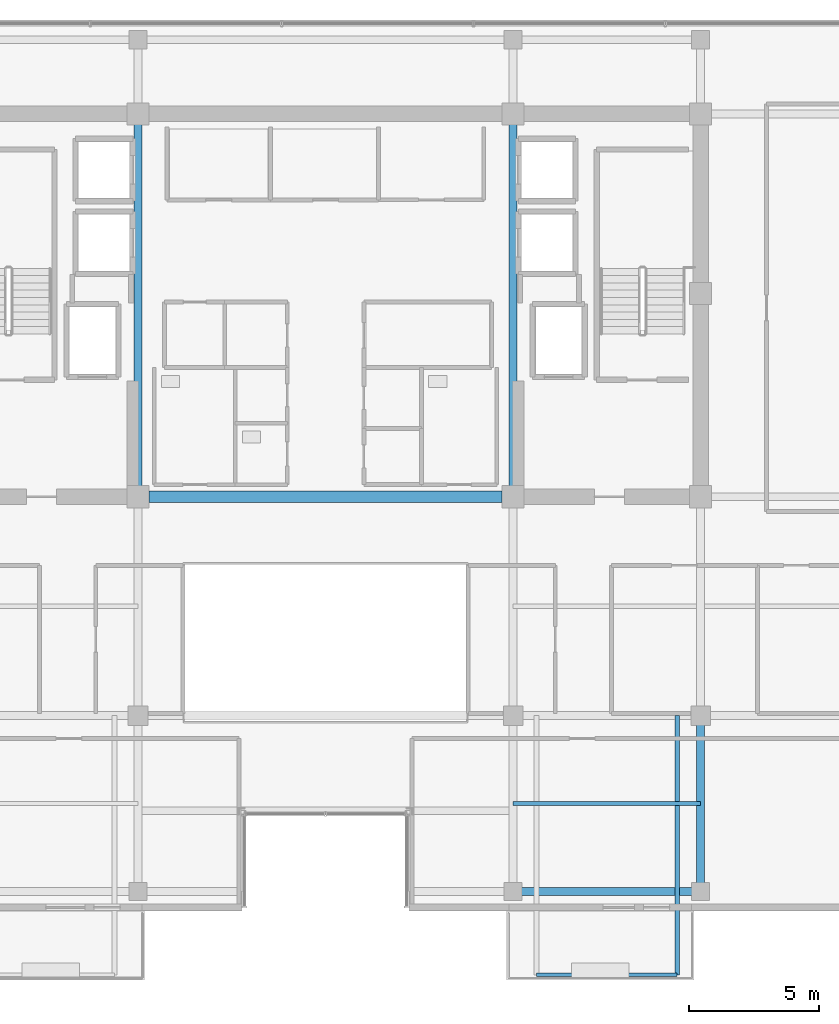
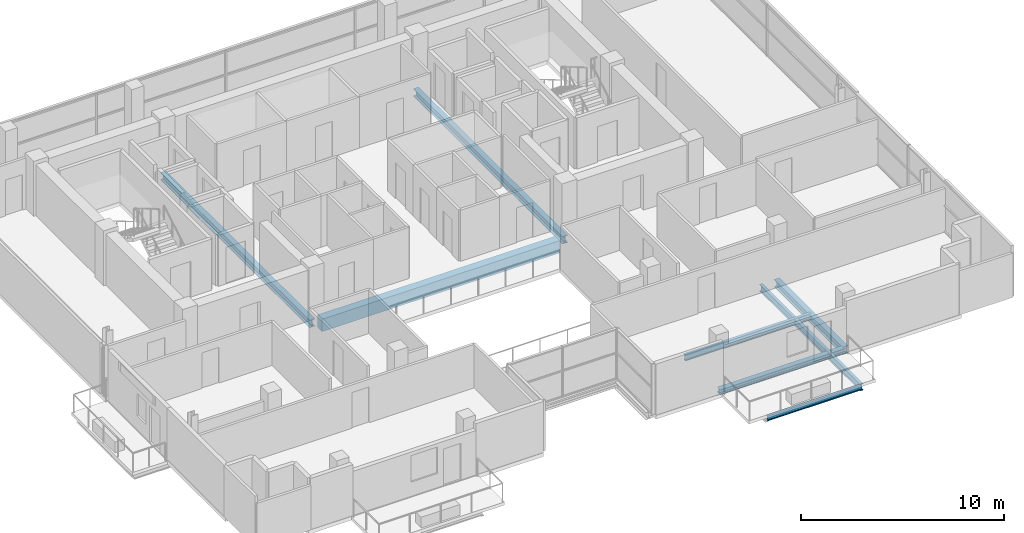
# One storey, part 6 of 21: 8 beams.
"""IFC4 building model written with IfcOpenShell, lengths in metres."""

from ifc_helpers import new_model, si_unit, direction, frame, origin, origin_2d, place, context, subcontext, project, spatial, rectangle, i_section, extrude, material, material_profile, profile_set, type_object, element, save


model = new_model("IFC4")

# Units and contexts
model_context = context("Model", 3, precision=1e-05, world=origin(), true_north=direction((0.0, 1.0)))
body_context = subcontext(model_context, "Body", "Model", "MODEL_VIEW")
ifc_project = project(units=[si_unit("LENGTHUNIT", "METRE"), si_unit("AREAUNIT", "SQUARE_METRE"), si_unit("VOLUMEUNIT", "CUBIC_METRE"), si_unit("PLANEANGLEUNIT", "RADIAN"), si_unit("MASSUNIT", "GRAM", prefix="KILO")], contexts=[model_context])

# Site, building, storey
site_placement = place(None, origin())
site = spatial("IfcSite", under=ifc_project, at=site_placement, CompositionType="ELEMENT")
building_placement = place(site_placement, origin())
building = spatial("IfcBuilding", under=site, at=building_placement, Name="Zarnakvel Exchange Tower", CompositionType="ELEMENT")
storey_placement = place(building_placement, frame((0.0, 0.0, 241.89990234375)))
storey = spatial("IfcBuildingStorey", under=building, at=storey_placement, Name="L68", CompositionType="ELEMENT", Elevation=241.89990234375)

# Beams
ifc_material_1 = material(Name="Steel S355", Category="steel")
ifc_material_profile_1 = material_profile(ifc_material_1, i_section(OverallWidth=0.179931640625, OverallDepth=0.39990234375, WebThickness=0.008544921875, FlangeThickness=0.013427734375, FilletRadius=0.02099609375, at=origin_2d()))
ifc_profile_set_1 = profile_set([ifc_material_profile_1], Name="Steel S355")
beam_type_1 = type_object("IfcBeamType", Name="B-06", PredefinedType="JOIST", material=ifc_profile_set_1)
beam_1_placement = place(storey_placement, frame((13.5, -9.60009765625, -0.4248046875), z_axis=(0.0, -1.0, 0.0), x_axis=(1.0, 0.0, 0.0)))
element("IfcBeam", 1, at=beam_1_placement, inside=storey, type_object=beam_type_1, Name="L68 Continuous Back-Spanned Balcony Beam E", PredefinedType="JOIST", context=body_context, shape_type="SweptSolid", body=[
    extrude(i_section(OverallWidth=0.179931640625, OverallDepth=0.39990234375, WebThickness=0.008544921875, FlangeThickness=0.013427734375, FilletRadius=0.02099609375, at=origin_2d()), origin(), (0.0, 0.0, 1.0), 9.949951171875),
])
ifc_material_profile_2 = material_profile(ifc_material_1, i_section(OverallWidth=0.169921875, OverallDepth=0.360107421875, WebThickness=0.008056640625, FlangeThickness=0.0126953125, FilletRadius=0.01806640625, at=origin_2d()))
ifc_profile_set_2 = profile_set([ifc_material_profile_2], Name="Steel S355")
beam_type_2 = type_object("IfcBeamType", Name="B-07", PredefinedType="JOIST", material=ifc_profile_set_2)
beam_2_placement = place(storey_placement, frame((7.199951171875, -12.97509765625, -0.40478515625), z_axis=(1.0, 0.0, 0.0), x_axis=(0.0, 1.0, 0.0)))
element("IfcBeam", 2, at=beam_2_placement, inside=storey, type_object=beam_type_2, Name="L68 Composite Floor Secondary Joist", PredefinedType="JOIST", context=body_context, shape_type="SweptSolid", body=[
    extrude(i_section(OverallWidth=0.169921875, OverallDepth=0.360107421875, WebThickness=0.008056640625, FlangeThickness=0.0126953125, FilletRadius=0.01806640625, at=origin_2d()), origin(), (0.0, 0.0, 1.0), 7.199951171875),
])
ifc_material_profile_3 = material_profile(ifc_material_1, i_section(OverallWidth=0.14990234375, OverallDepth=0.300048828125, WebThickness=0.007080078125, FlangeThickness=0.0107421875, FilletRadius=0.014892578125, at=origin_2d()))
ifc_profile_set_3 = profile_set([ifc_material_profile_3], Name="Steel S355")
beam_type_3 = type_object("IfcBeamType", Name="B-08", PredefinedType="JOIST", material=ifc_profile_set_3)
beam_3_placement = place(storey_placement, frame((8.10009765625, -19.550048828125, -0.375), z_axis=(1.0, 0.0, 0.0), x_axis=(0.0, 1.0, 0.0)))
element("IfcBeam", 3, at=beam_3_placement, inside=storey, type_object=beam_type_3, Name="L68 Balcony Edge Beam", PredefinedType="JOIST", context=body_context, shape_type="SweptSolid", body=[
    extrude(i_section(OverallWidth=0.14990234375, OverallDepth=0.300048828125, WebThickness=0.007080078125, FlangeThickness=0.0107421875, FilletRadius=0.014892578125, at=origin_2d()), origin(), (0.0, 0.0, 1.0), 5.39990234375),
])
ifc_material_2 = material(Name="Concrete C50/60", Category="concrete")
ifc_material_profile_4 = material_profile(ifc_material_2, rectangle(XDim=0.449951171875, YDim=0.75, at=origin_2d()))
ifc_profile_set_4 = profile_set([ifc_material_profile_4], Name="Concrete C50/60")
beam_type_4 = type_object("IfcBeamType", Name="CB-03", PredefinedType="LINTEL", material=ifc_profile_set_4)
beam_4_placement = place(storey_placement, frame((-6.77490234375, -1.199951171875, -0.599853515625), z_axis=(1.0, 0.0, 0.0), x_axis=(0.0, 1.0, 0.0)))
element("IfcBeam", 4, at=beam_4_placement, inside=storey, type_object=beam_type_4, Name="L68 Rear Core South Coupling Beam (CB-03)", PredefinedType="LINTEL", context=body_context, shape_type="SweptSolid", body=[
    extrude(rectangle(XDim=0.449951171875, YDim=0.75, at=origin_2d()), origin(), (0.0, 0.0, 1.0), 13.5498046875),
])
ifc_material_profile_5 = material_profile(ifc_material_1, i_section(OverallWidth=0.300048828125, OverallDepth=0.449951171875, WebThickness=0.013916015625, FlangeThickness=0.02587890625, FilletRadius=0.027099609375, at=origin_2d()))
ifc_profile_set_5 = profile_set([ifc_material_profile_5], Name="Steel S355")
beam_type_5 = type_object("IfcBeamType", Name="G-07", PredefinedType="BEAM", material=ifc_profile_set_5)
for number, where, z_axis, x_axis, name in (
    (5, (-7.199951171875, -1.199951171875, -0.449951171875), (0.0, 1.0, 0.0), (-1.0, 0.0, 0.0), "L68 Tower N-S Frame Beam"),
    (6, (7.199951171875, -1.199951171875, -0.449951171875), (0.0, 1.0, 0.0), (-1.0, 0.0, 0.0), "L68 Tower N-S Frame Beam"),
):
    element("IfcBeam", number, at=place(storey_placement, frame(where, z_axis=z_axis, x_axis=x_axis)), inside=storey, type_object=beam_type_5, Name=name, PredefinedType="BEAM", context=body_context, shape_type="SweptSolid", body=[
        extrude(i_section(OverallWidth=0.300048828125, OverallDepth=0.449951171875, WebThickness=0.013916015625, FlangeThickness=0.02587890625, FilletRadius=0.027099609375, at=origin_2d()), origin(), (0.0, 0.0, 1.0), 14.699951171875),
    ])
beam_5_placement = place(storey_placement, frame((14.39990234375, -16.35009765625, -0.449951171875), z_axis=(0.0, 1.0, 0.0), x_axis=(-1.0, 0.0, 0.0)))
element("IfcBeam", 7, at=beam_5_placement, inside=storey, type_object=beam_type_5, Name="L68 Tower N-S Frame Beam", PredefinedType="BEAM", context=body_context, shape_type="SweptSolid", body=[
    extrude(i_section(OverallWidth=0.300048828125, OverallDepth=0.449951171875, WebThickness=0.013916015625, FlangeThickness=0.02587890625, FilletRadius=0.027099609375, at=origin_2d()), origin(), (0.0, 0.0, 1.0), 6.75),
])
ifc_material_profile_6 = material_profile(ifc_material_1, i_section(OverallWidth=0.300048828125, OverallDepth=0.300048828125, WebThickness=0.010986328125, FlangeThickness=0.01904296875, FilletRadius=0.027099609375, at=origin_2d()))
ifc_profile_set_6 = profile_set([ifc_material_profile_6], Name="Steel S355")
beam_type_6 = type_object("IfcBeamType", Name="SP-03", PredefinedType="SPANDREL", material=ifc_profile_set_6)
beam_6_placement = place(storey_placement, frame((7.199951171875, -16.35009765625, -0.375), z_axis=(1.0, 0.0, 0.0), x_axis=(0.0, 1.0, 0.0)))
element("IfcBeam", 8, at=beam_6_placement, inside=storey, type_object=beam_type_6, Name="L68 Tower E-W Frame Beam", PredefinedType="SPANDREL", context=body_context, shape_type="SweptSolid", body=[
    extrude(i_section(OverallWidth=0.300048828125, OverallDepth=0.300048828125, WebThickness=0.010986328125, FlangeThickness=0.01904296875, FilletRadius=0.027099609375, at=origin_2d()), origin(), (0.0, 0.0, 1.0), 7.199951171875),
])

save(model, "model.ifc")
